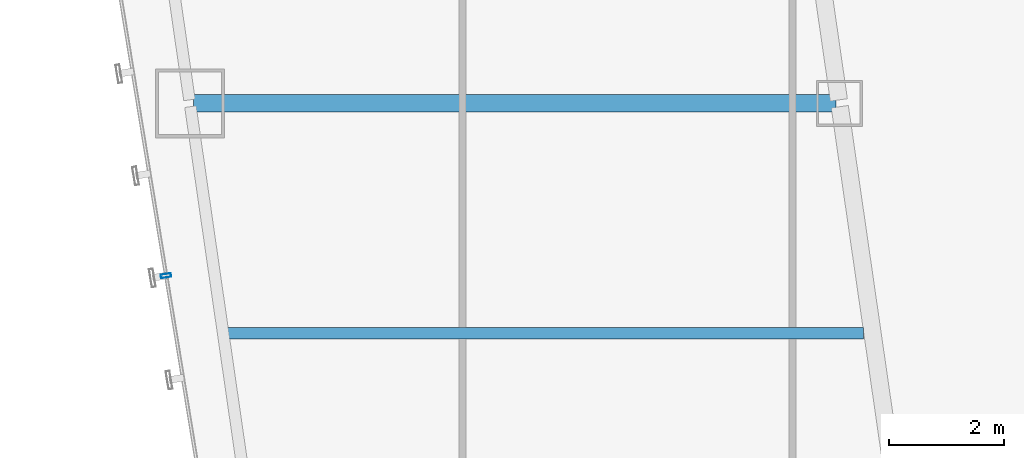
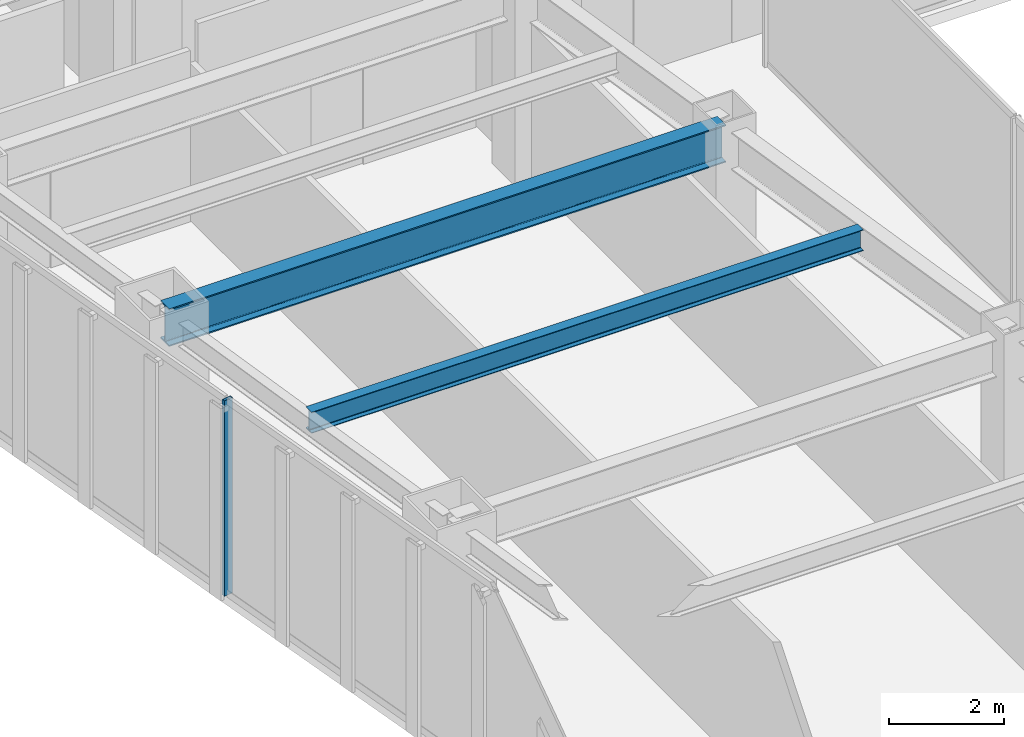
# One storey, part 11 of 47: 2 beams, 1 member, 1 element without a shape of its own.
"""IFC4 building model written with IfcOpenShell, lengths in metres."""

from ifc_helpers import new_model, si_unit, direction, frame, origin, origin_2d, place, context, subcontext, project, spatial, hollow_rectangle, i_section, extrude, material, material_profile, profile_set, type_object, element, aggregate, save


model = new_model("IFC4")

# Units and contexts
model_context = context("Model", 3, precision=1e-05, world=origin(), true_north=direction((0.0, 1.0)))
body_context = subcontext(model_context, "Body", "Model", "MODEL_VIEW")
ifc_project = project(units=[si_unit("LENGTHUNIT", "METRE"), si_unit("AREAUNIT", "SQUARE_METRE"), si_unit("VOLUMEUNIT", "CUBIC_METRE"), si_unit("PLANEANGLEUNIT", "RADIAN"), si_unit("MASSUNIT", "GRAM", prefix="KILO")], contexts=[model_context])

# Site, building, storey
site_placement = place(None, origin())
site = spatial("IfcSite", under=ifc_project, at=site_placement, CompositionType="ELEMENT")
building_placement = place(site_placement, origin())
building = spatial("IfcBuilding", under=site, at=building_placement, Name="Saevonmaru Cultural Tower", CompositionType="ELEMENT")
storey_placement = place(building_placement, frame((0.0, 0.0, 42.800048828125)))
storey = spatial("IfcBuildingStorey", under=building, at=storey_placement, Name="L08", CompositionType="ELEMENT", Elevation=42.800048828125)

# Beams
ifc_material_1 = material(Name="Steel SM420", Category="steel")
ifc_material_profile_1 = material_profile(ifc_material_1, i_section(OverallWidth=0.300048828125, OverallDepth=0.800048828125, WebThickness=0.013916015625, FlangeThickness=0.02587890625, FilletRadius=0.028076171875, at=origin_2d()), Name="H-800x300x14x26")
ifc_profile_set_1 = profile_set([ifc_material_profile_1], Name="Steel SM420")
beam_type_1 = type_object("IfcBeamType", Name="BM-G-H800", PredefinedType="BEAM", material=ifc_profile_set_1)
beam_1_placement = place(storey_placement, frame((8.376953125, 32.0, 3.75), z_axis=(1.0, 0.0, 0.0), x_axis=(0.0, 1.0, 0.0)))
element("IfcBeam", 1, at=beam_1_placement, inside=storey, type_object=beam_type_1, Name="L08 West Wing Transverse Girder 5", PredefinedType="BEAM", context=body_context, shape_type="SweptSolid", body=[
    extrude(i_section(OverallWidth=0.300048828125, OverallDepth=0.800048828125, WebThickness=0.013916015625, FlangeThickness=0.02587890625, FilletRadius=0.028076171875, at=origin_2d()), origin(), (0.0, 0.0, 1.0), 11.179931640625),
])
ifc_material_2 = material(Name="Steel SM355", Category="steel")
ifc_material_profile_2 = material_profile(ifc_material_2, i_section(OverallWidth=0.199951171875, OverallDepth=0.449951171875, WebThickness=0.009033203125, FlangeThickness=0.013916015625, FilletRadius=0.01806640625, at=origin_2d()), Name="H-450x200x9x14")
ifc_profile_set_2 = profile_set([ifc_material_profile_2], Name="Steel SM355")
beam_type_2 = type_object("IfcBeamType", Name="BM-J-H450", PredefinedType="JOIST", material=ifc_profile_set_2)
beam_2_placement = place(storey_placement, frame((8.95458984375, 28.0, 3.925048828125), z_axis=(1.0, 0.0, 0.0), x_axis=(0.0, 1.0, 0.0)))
element("IfcBeam", 2, at=beam_2_placement, inside=storey, type_object=beam_type_2, Name="L08 West Wing Floor Joist 4", PredefinedType="JOIST", context=body_context, shape_type="SweptSolid", body=[
    extrude(i_section(OverallWidth=0.199951171875, OverallDepth=0.449951171875, WebThickness=0.009033203125, FlangeThickness=0.013916015625, FilletRadius=0.01806640625, at=origin_2d()), origin(), (0.0, 0.0, 1.0), 11.08203125),
])

# Curtain wall, member
ifc_material_3 = material(Name="Satin Bronze Anodised Aluminium", Category="aluminium")
curtain_wall_type = type_object("IfcCurtainWallType", Name="CW-TYP-A", PredefinedType="NOTDEFINED", material=ifc_material_3)
curtain_wall_placement = place(storey_placement, origin())
curtain_wall = element("IfcCurtainWall", 3, at=curtain_wall_placement, inside=storey, type_object=curtain_wall_type, Name="L08 Unitised Curtain Wall E12", PredefinedType="NOTDEFINED")
ifc_material_profile_3 = material_profile(ifc_material_3, hollow_rectangle(XDim=0.06494140625, YDim=0.179931640625, WallThickness=0.00390625, at=origin_2d()), Name="ALU-MULL-180x65x4")
ifc_profile_set_3 = profile_set([ifc_material_profile_3], Name="Satin Bronze Anodised Aluminium")
member_type = type_object("IfcMemberType", Name="ML-CW-180x65", PredefinedType="MULLION", material=ifc_profile_set_3)
member_placement = place(storey_placement, frame((7.89990234375, 29.0, 0.0), z_axis=(0.0, 0.0, 1.0), x_axis=(0.161708868641, -0.986838508472, 0.0)))
member = element("IfcMember", 4, at=member_placement, type_object=member_type, Name="CW-TW-L08-E12 mullion 3", PredefinedType="MULLION", context=body_context, shape_type="SweptSolid", body=[
    extrude(hollow_rectangle(XDim=0.06494140625, YDim=0.179931640625, WallThickness=0.00390625, at=origin_2d()), origin(), (0.0, 0.0, 1.0), 4.14990234375),
])
aggregate(curtain_wall, [member])

save(model, "model.ifc")
